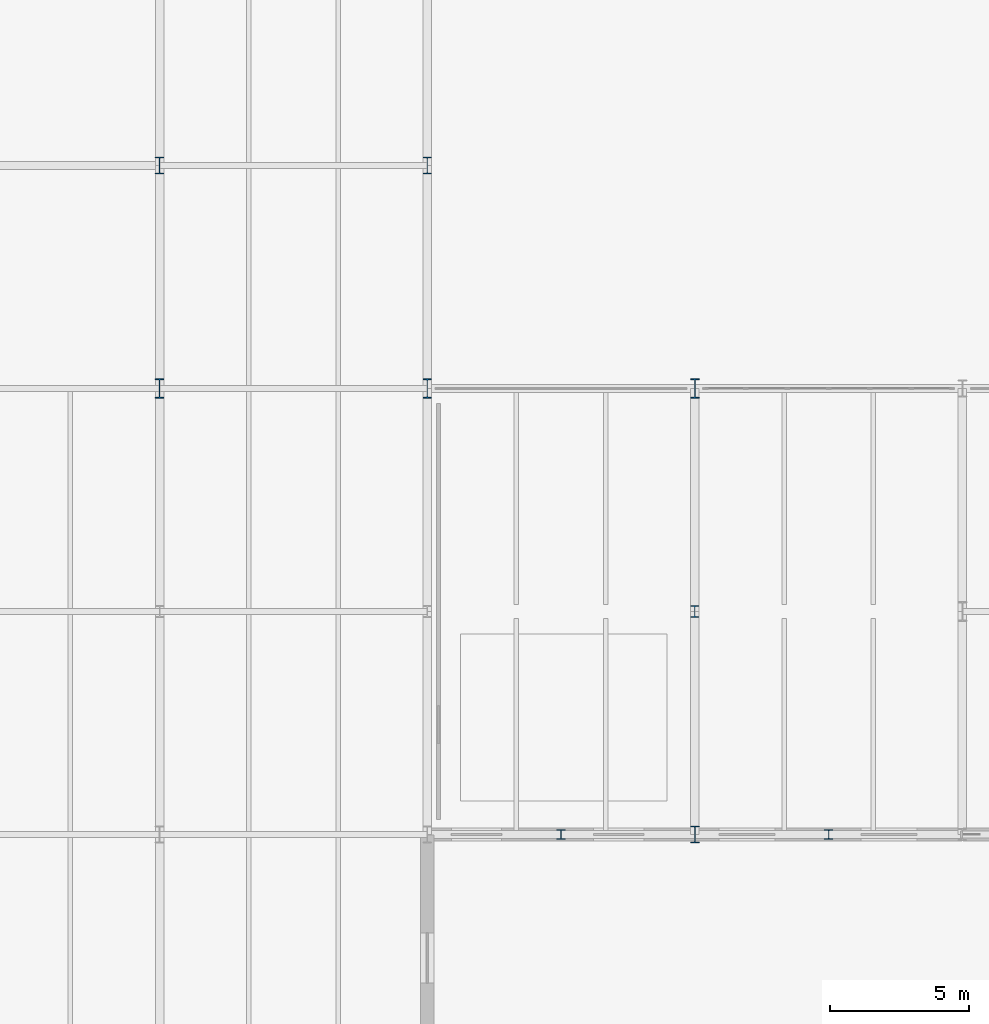
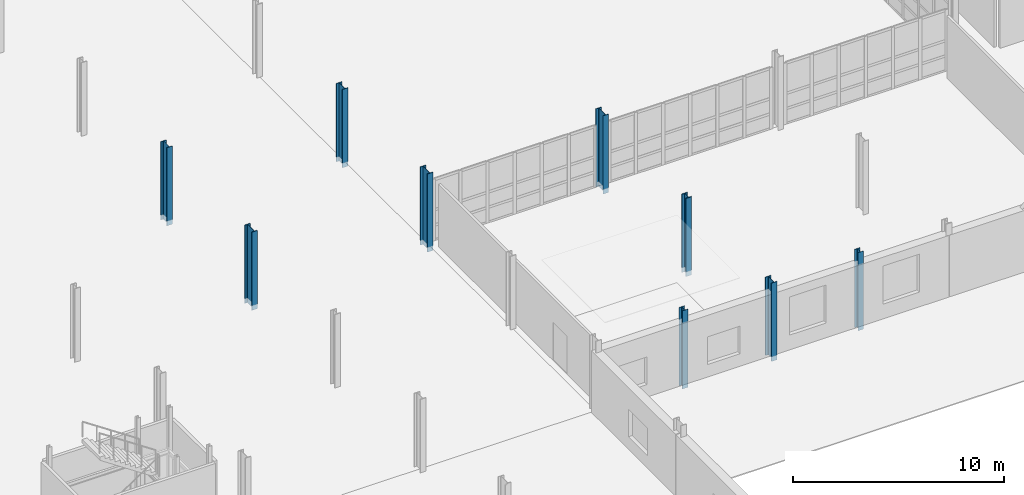
# One storey, part 8 of 78: 9 columns.
"""IFC4 building model written with IfcOpenShell, lengths in metres."""

from ifc_helpers import new_model, si_unit, direction, frame, origin, origin_2d, place, context, subcontext, project, spatial, i_section, extrude, material, material_profile, profile_set, type_object, element, save


model = new_model("IFC4")

# Units and contexts
model_context = context("Model", 3, precision=1e-05, world=origin(), true_north=direction((0.0, 1.0)))
body_context = subcontext(model_context, "Body", "Model", "MODEL_VIEW")
ifc_project = project(units=[si_unit("LENGTHUNIT", "METRE"), si_unit("AREAUNIT", "SQUARE_METRE"), si_unit("VOLUMEUNIT", "CUBIC_METRE"), si_unit("PLANEANGLEUNIT", "RADIAN"), si_unit("MASSUNIT", "GRAM", prefix="KILO")], contexts=[model_context])

# Site, building, storey
site_placement = place(None, origin())
site = spatial("IfcSite", under=ifc_project, at=site_placement, CompositionType="ELEMENT")
building_placement = place(site_placement, origin())
building = spatial("IfcBuilding", under=site, at=building_placement, Name="Alderhovde Museum", CompositionType="ELEMENT")
storey_placement = place(building_placement, origin())
storey = spatial("IfcBuildingStorey", under=building, at=storey_placement, Name="L00", CompositionType="ELEMENT", Elevation=0.0)

# Columns
ifc_material_1 = material(Name="Steel S355J2", Category="steel")
ifc_material_profile_1 = material_profile(ifc_material_1, i_section(OverallWidth=0.300048828125, OverallDepth=0.60009765625, WebThickness=0.015380859375, FlangeThickness=0.030029296875, FilletRadius=0.027099609375, at=origin_2d()), Name="HEB 600")
ifc_profile_set_1 = profile_set([ifc_material_profile_1], Name="Steel S355J2")
column_type_1 = type_object("IfcColumnType", Name="COL-HEB600", PredefinedType="COLUMN", material=ifc_profile_set_1)
for number, where, z_axis, x_axis, name in (
    (1, (105.60009765625, 56.0, -0.280029296875), (0.0, 0.0, 1.0), (1.0, 0.0, 0.0), "L00 Column (105.6, 56.0)"),
    (2, (115.199951171875, 56.0, -0.280029296875), (0.0, 0.0, 1.0), (1.0, 0.0, 0.0), "L00 Column (115.2, 56.0)"),
    (3, (124.800048828125, 32.0, -0.280029296875), (0.0, 0.0, 1.0), (1.0, 0.0, 0.0), "L00 Column (124.8, 32.0)"),
):
    element("IfcColumn", number, at=place(storey_placement, frame(where, z_axis=z_axis, x_axis=x_axis)), inside=storey, type_object=column_type_1, Name=name, PredefinedType="COLUMN", context=body_context, shape_type="SweptSolid", body=[
        extrude(i_section(OverallWidth=0.300048828125, OverallDepth=0.60009765625, WebThickness=0.015380859375, FlangeThickness=0.030029296875, FilletRadius=0.027099609375, at=origin_2d()), origin(), (0.0, 0.0, 1.0), 4.52001953125),
    ])
ifc_material_2 = material(Name="Steel S355J2", Category="steel")
ifc_material_profile_2 = material_profile(ifc_material_2, i_section(OverallWidth=0.300048828125, OverallDepth=0.699951171875, WebThickness=0.01708984375, FlangeThickness=0.031982421875, FilletRadius=0.027099609375, at=origin_2d()), Name="HEB 700")
ifc_profile_set_2 = profile_set([ifc_material_profile_2], Name="Steel S355J2")
column_type_2 = type_object("IfcColumnType", Name="COL-HEB700", PredefinedType="COLUMN", material=ifc_profile_set_2)
for number, where, z_axis, x_axis, name in (
    (4, (105.60009765625, 48.0, -0.280029296875), (0.0, 0.0, 1.0), (1.0, 0.0, 0.0), "L00 Column (105.6, 48.0)"),
    (5, (115.199951171875, 48.0, -0.280029296875), (0.0, 0.0, 1.0), (1.0, 0.0, 0.0), "L00 Column (115.2, 48.0)"),
    (6, (124.800048828125, 48.0, -0.280029296875), (0.0, 0.0, 1.0), (1.0, 0.0, 0.0), "L00 Column (124.8, 48.0)"),
):
    element("IfcColumn", number, at=place(storey_placement, frame(where, z_axis=z_axis, x_axis=x_axis)), inside=storey, type_object=column_type_2, Name=name, PredefinedType="COLUMN", context=body_context, shape_type="SweptSolid", body=[
        extrude(i_section(OverallWidth=0.300048828125, OverallDepth=0.699951171875, WebThickness=0.01708984375, FlangeThickness=0.031982421875, FilletRadius=0.027099609375, at=origin_2d()), origin(), (0.0, 0.0, 1.0), 4.52001953125),
    ])
ifc_material_3 = material(Name="Steel S355J2", Category="steel")
ifc_material_profile_3 = material_profile(ifc_material_3, i_section(OverallWidth=0.306884765625, OverallDepth=0.431884765625, WebThickness=0.02099609375, FlangeThickness=0.0400390625, FilletRadius=0.027099609375, at=origin_2d()), Name="HEM 400")
ifc_profile_set_3 = profile_set([ifc_material_profile_3], Name="Steel S355J2")
column_type_3 = type_object("IfcColumnType", Name="COL-HEM400", PredefinedType="COLUMN", material=ifc_profile_set_3)
column_placement = place(storey_placement, frame((124.800048828125, 40.0, -0.280029296875), z_axis=(0.0, 0.0, 1.0), x_axis=(1.0, 0.0, 0.0)))
element("IfcColumn", 7, at=column_placement, inside=storey, type_object=column_type_3, Name="L00 Column (124.8, 40.0)", PredefinedType="COLUMN", context=body_context, shape_type="SweptSolid", body=[
    extrude(i_section(OverallWidth=0.306884765625, OverallDepth=0.431884765625, WebThickness=0.02099609375, FlangeThickness=0.0400390625, FilletRadius=0.027099609375, at=origin_2d()), origin(), (0.0, 0.0, 1.0), 4.52001953125),
])
ifc_material_4 = material(Name="Steel S355J2", Category="steel")
ifc_material_profile_4 = material_profile(ifc_material_4, i_section(OverallWidth=0.300048828125, OverallDepth=0.330078125, WebThickness=0.009521484375, FlangeThickness=0.0166015625, FilletRadius=0.027099609375, at=origin_2d()), Name="HEA 340")
ifc_profile_set_4 = profile_set([ifc_material_profile_4], Name="Steel S355J2")
column_type_4 = type_object("IfcColumnType", Name="PIL-HEA340", PredefinedType="PILASTER", material=ifc_profile_set_4)
for number, where, z_axis, x_axis, name in (
    (8, (120.0, 32.0, -0.280029296875), (0.0, 0.0, 1.0), (1.0, 0.0, 0.0), "L00 Structural Pilaster (120.0, 32.0)"),
    (9, (129.60009765625, 32.0, -0.280029296875), (0.0, 0.0, 1.0), (1.0, 0.0, 0.0), "L00 Structural Pilaster (129.6, 32.0)"),
):
    element("IfcColumn", number, at=place(storey_placement, frame(where, z_axis=z_axis, x_axis=x_axis)), inside=storey, type_object=column_type_4, Name=name, PredefinedType="PILASTER", context=body_context, shape_type="SweptSolid", body=[
        extrude(i_section(OverallWidth=0.300048828125, OverallDepth=0.330078125, WebThickness=0.009521484375, FlangeThickness=0.0166015625, FilletRadius=0.027099609375, at=origin_2d()), origin(), (0.0, 0.0, 1.0), 4.52001953125),
    ])

save(model, "model.ifc")
